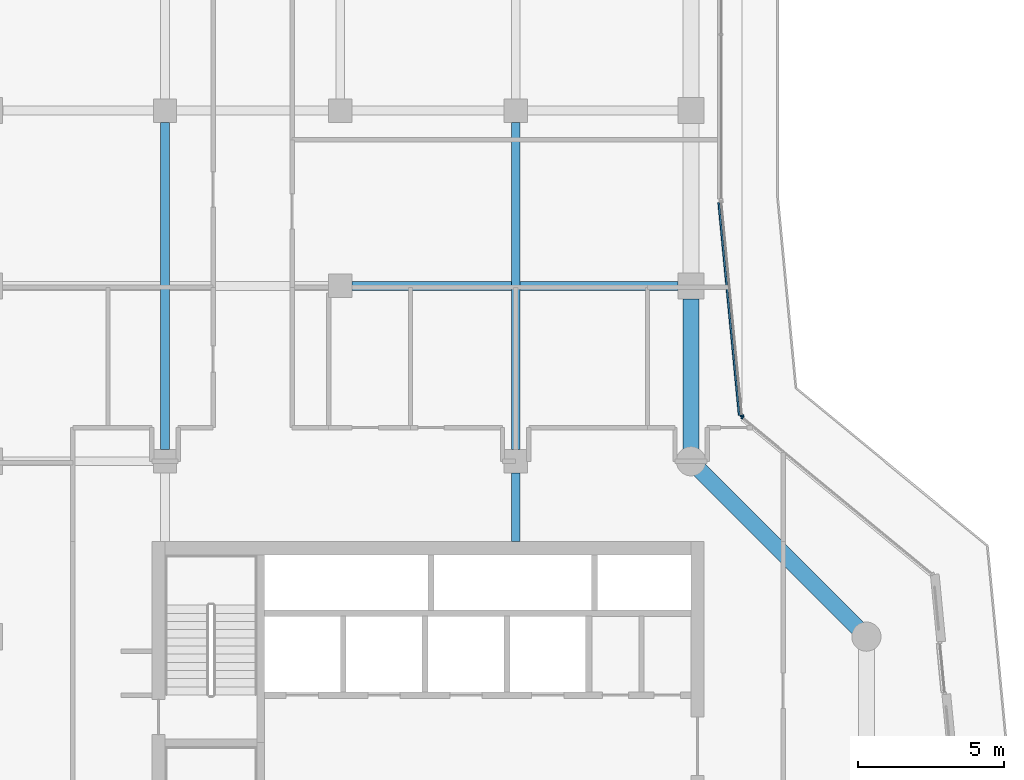
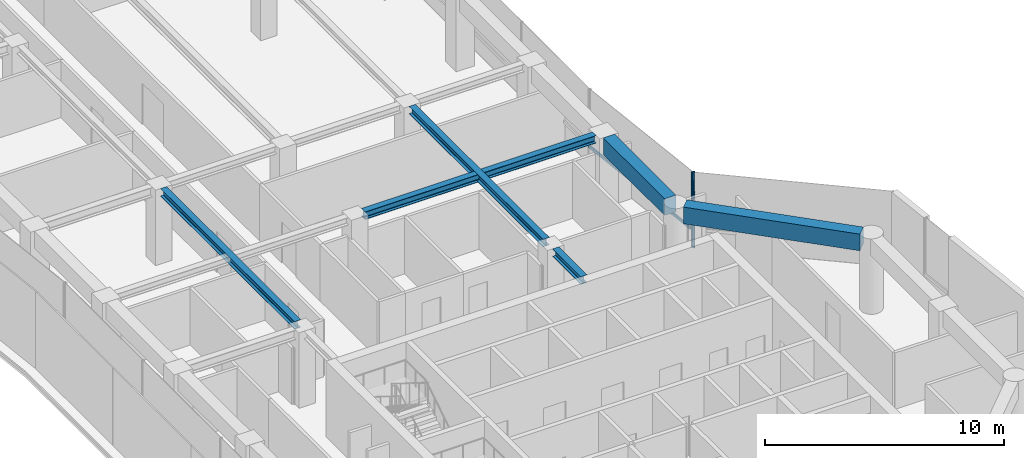
# One storey, part 5 of 23: 6 beams, 3 members, 2 elements without a shape of their own.
"""IFC4 building model written with IfcOpenShell, lengths in metres."""

from ifc_helpers import new_model, si_unit, direction, frame, origin, origin_2d, place, context, subcontext, project, spatial, rectangle, i_section, extrude, material, layer, layer_set, material_profile, profile_set, type_object, element, aggregate, save


model = new_model("IFC4")

# Units and contexts
model_context = context("Model", 3, precision=1e-05, world=origin(), true_north=direction((0.0, 1.0)))
body_context = subcontext(model_context, "Body", "Model", "MODEL_VIEW")
ifc_project = project(units=[si_unit("LENGTHUNIT", "METRE"), si_unit("AREAUNIT", "SQUARE_METRE"), si_unit("VOLUMEUNIT", "CUBIC_METRE"), si_unit("PLANEANGLEUNIT", "RADIAN"), si_unit("MASSUNIT", "GRAM", prefix="KILO")], contexts=[model_context])

# Site, building, storey
site_placement = place(None, origin())
site = spatial("IfcSite", under=ifc_project, at=site_placement, CompositionType="ELEMENT")
building_placement = place(site_placement, origin())
building = spatial("IfcBuilding", under=site, at=building_placement, Name="Welwitschia Terrace Campus", CompositionType="ELEMENT")
storey_placement = place(building_placement, frame((0.0, 0.0, 205.39990234375)))
storey = spatial("IfcBuildingStorey", under=building, at=storey_placement, Name="L45", CompositionType="ELEMENT", Elevation=205.39990234375)

# Beams
ifc_material_1 = material(Name="Steel S355", Category="steel")
ifc_material_profile_1 = material_profile(ifc_material_1, i_section(OverallWidth=0.300048828125, OverallDepth=0.389892578125, WebThickness=0.010986328125, FlangeThickness=0.01904296875, FilletRadius=0.027099609375, at=origin_2d()))
ifc_profile_set_1 = profile_set([ifc_material_profile_1], Name="Steel S355")
beam_type_1 = type_object("IfcBeamType", Name="Interior girder HE 400 A", PredefinedType="BEAM", material=ifc_profile_set_1)
beam_1_placement = place(storey_placement, frame((12.400390625, 34.0, 3.655029296875), z_axis=(1.0, 0.0, 0.0), x_axis=(0.0, 1.0, 0.0)))
element("IfcBeam", 1, at=beam_1_placement, inside=storey, type_object=beam_type_1, Name="Girder GB5", PredefinedType="BEAM", context=body_context, shape_type="SweptSolid", body=[
    extrude(i_section(OverallWidth=0.300048828125, OverallDepth=0.389892578125, WebThickness=0.010986328125, FlangeThickness=0.01904296875, FilletRadius=0.027099609375, at=origin_2d()), origin(), (0.0, 0.0, 1.0), 11.1591796875),
])
beam_2_placement = place(storey_placement, frame((6.0, 28.400390625, 3.655029296875), z_axis=(0.0, 1.0, 0.0), x_axis=(-1.0, 0.0, 0.0)))
element("IfcBeam", 2, at=beam_2_placement, inside=storey, type_object=beam_type_1, Name="Girder GB5", PredefinedType="BEAM", context=body_context, shape_type="SweptSolid", body=[
    extrude(i_section(OverallWidth=0.300048828125, OverallDepth=0.389892578125, WebThickness=0.010986328125, FlangeThickness=0.01904296875, FilletRadius=0.027099609375, at=origin_2d()), origin(), (0.0, 0.0, 1.0), 11.19921875),
])
beam_3_placement = place(storey_placement, frame((18.0, 25.2509765625, 3.655029296875), z_axis=(0.0, 1.0, 0.0), x_axis=(-1.0, 0.0, 0.0)))
element("IfcBeam", 3, at=beam_3_placement, inside=storey, type_object=beam_type_1, Name="Girder GB5", PredefinedType="BEAM", context=body_context, shape_type="SweptSolid", body=[
    extrude(i_section(OverallWidth=0.300048828125, OverallDepth=0.389892578125, WebThickness=0.010986328125, FlangeThickness=0.01904296875, FilletRadius=0.027099609375, at=origin_2d()), origin(), (0.0, 0.0, 1.0), 2.3486328125),
])
beam_4_placement = place(storey_placement, frame((18.0, 28.400390625, 3.655029296875), z_axis=(0.0, 1.0, 0.0), x_axis=(-1.0, 0.0, 0.0)))
element("IfcBeam", 4, at=beam_4_placement, inside=storey, type_object=beam_type_1, Name="Girder GB5", PredefinedType="BEAM", context=body_context, shape_type="SweptSolid", body=[
    extrude(i_section(OverallWidth=0.300048828125, OverallDepth=0.389892578125, WebThickness=0.010986328125, FlangeThickness=0.01904296875, FilletRadius=0.027099609375, at=origin_2d()), origin(), (0.0, 0.0, 1.0), 11.19921875),
])

# Curtain wall, member
ifc_material_2 = material(Name="Bronze anodised aluminium", Category="aluminium")
ifc_layer = layer(ifc_material_2, 0.1201171875)
ifc_layer_set = layer_set([ifc_layer], Name="Bronze anodised aluminium")
curtain_wall_type = type_object("IfcCurtainWallType", Name="Curtain wall CW2 tower 6000", PredefinedType="NOTDEFINED", material=ifc_layer_set)
curtain_wall_1_placement = place(storey_placement, origin())
curtain_wall_1 = element("IfcCurtainWall", 5, at=curtain_wall_1_placement, inside=storey, type_object=curtain_wall_type, Name="CW L45.5.0", PredefinedType="NOTDEFINED")
ifc_material_3 = material(Name="Bronze anodised aluminium", Category="aluminium")
ifc_material_profile_2 = material_profile(ifc_material_3, rectangle(XDim=0.1201171875, YDim=0.06005859375, at=origin_2d()))
ifc_profile_set_2 = profile_set([ifc_material_profile_2], Name="Bronze anodised aluminium")
member_type_1 = type_object("IfcMemberType", Name="Mullion 60x120", PredefinedType="MULLION", material=ifc_profile_set_2)
member_1_placement = place(storey_placement, frame((25.765380859375, 29.50390625, 0.0), z_axis=(0.0, 0.0, 1.0), x_axis=(-0.636078220278, -0.771624583388, 0.0)))
member_1 = element("IfcMember", 6, at=member_1_placement, type_object=member_type_1, Name="Mullion L45.5.0.1", PredefinedType="MULLION", context=body_context, shape_type="SweptSolid", body=[
    extrude(rectangle(XDim=0.1201171875, YDim=0.06005859375, at=origin_2d()), origin(), (0.0, 0.0, 1.0), 3.85009765625),
])
aggregate(curtain_wall_1, [member_1])

curtain_wall_2_placement = place(storey_placement, origin())
curtain_wall_2 = element("IfcCurtainWall", 7, at=curtain_wall_2_placement, inside=storey, type_object=curtain_wall_type, Name="CW L45.6.0", PredefinedType="NOTDEFINED")
member_2_placement = place(storey_placement, frame((25.7392578125, 29.552978515625, 0.0), z_axis=(0.0, 0.0, 1.0), x_axis=(-0.995396198367, -0.09584575252, 0.0)))
member_2 = element("IfcMember", 8, at=member_2_placement, type_object=member_type_1, Name="Mullion L45.6.0.0", PredefinedType="MULLION", context=body_context, shape_type="SweptSolid", body=[
    extrude(rectangle(XDim=0.1201171875, YDim=0.06005859375, at=origin_2d()), origin(), (0.0, 0.0, 1.0), 3.85009765625),
])

# Beams
ifc_material_4 = material(Name="Concrete C50/60", Category="concrete")
ifc_material_profile_3 = material_profile(ifc_material_4, rectangle(XDim=0.550048828125, YDim=0.85009765625, at=origin_2d()))
ifc_profile_set_3 = profile_set([ifc_material_profile_3], Name="Concrete C50/60")
beam_type_2 = type_object("IfcBeamType", Name="Ring spandrel 550x850", PredefinedType="SPANDREL", material=ifc_profile_set_3)
beam_5_placement = place(storey_placement, frame((29.7041015625, 22.2958984375, 3.425048828125), z_axis=(-0.707106781187, 0.707106781187, 0.0), x_axis=(-0.707106781187, -0.707106781187, 0.0)))
element("IfcBeam", 9, at=beam_5_placement, inside=storey, type_object=beam_type_2, Name="Spandrel SP3", PredefinedType="SPANDREL", context=body_context, shape_type="SweptSolid", body=[
    extrude(rectangle(XDim=0.550048828125, YDim=0.85009765625, at=origin_2d()), origin(), (0.0, 0.0, 1.0), 7.6484375),
])
beam_6_placement = place(storey_placement, frame((24.0, 28.41845703125, 3.425048828125), z_axis=(0.0, 1.0, 0.0), x_axis=(-1.0, 0.0, 0.0)))
element("IfcBeam", 10, at=beam_6_placement, inside=storey, type_object=beam_type_2, Name="Spandrel SP3", PredefinedType="SPANDREL", context=body_context, shape_type="SweptSolid", body=[
    extrude(rectangle(XDim=0.550048828125, YDim=0.85009765625, at=origin_2d()), origin(), (0.0, 0.0, 1.0), 5.131103515625),
])

# Member
ifc_material_5 = material(Name="Bronze anodised aluminium", Category="aluminium")
ifc_material_profile_4 = material_profile(ifc_material_5, rectangle(XDim=0.06005859375, YDim=0.14990234375, at=origin_2d()))
ifc_profile_set_4 = profile_set([ifc_material_profile_4], Name="Bronze anodised aluminium")
member_type_2 = type_object("IfcMemberType", Name="Transom 60x150", PredefinedType="USERDEFINED", material=ifc_profile_set_4)
member_3_placement = place(storey_placement, frame((25.646728515625, 29.57421875, 1.0), z_axis=(-0.095849224287, 0.995395864068, 0.0), x_axis=(-0.995395864068, -0.095849224287, 0.0)))
member_3 = element("IfcMember", 11, at=member_3_placement, type_object=member_type_2, Name="Transom L45.6.0", ObjectType="TRANSOM", PredefinedType="USERDEFINED", context=body_context, shape_type="SweptSolid", body=[
    extrude(rectangle(XDim=0.06005859375, YDim=0.14990234375, at=origin_2d()), origin(), (0.0, 0.0, 1.0), 7.310302734375),
])

aggregate(curtain_wall_2, [member_2, member_3])

save(model, "model.ifc")
